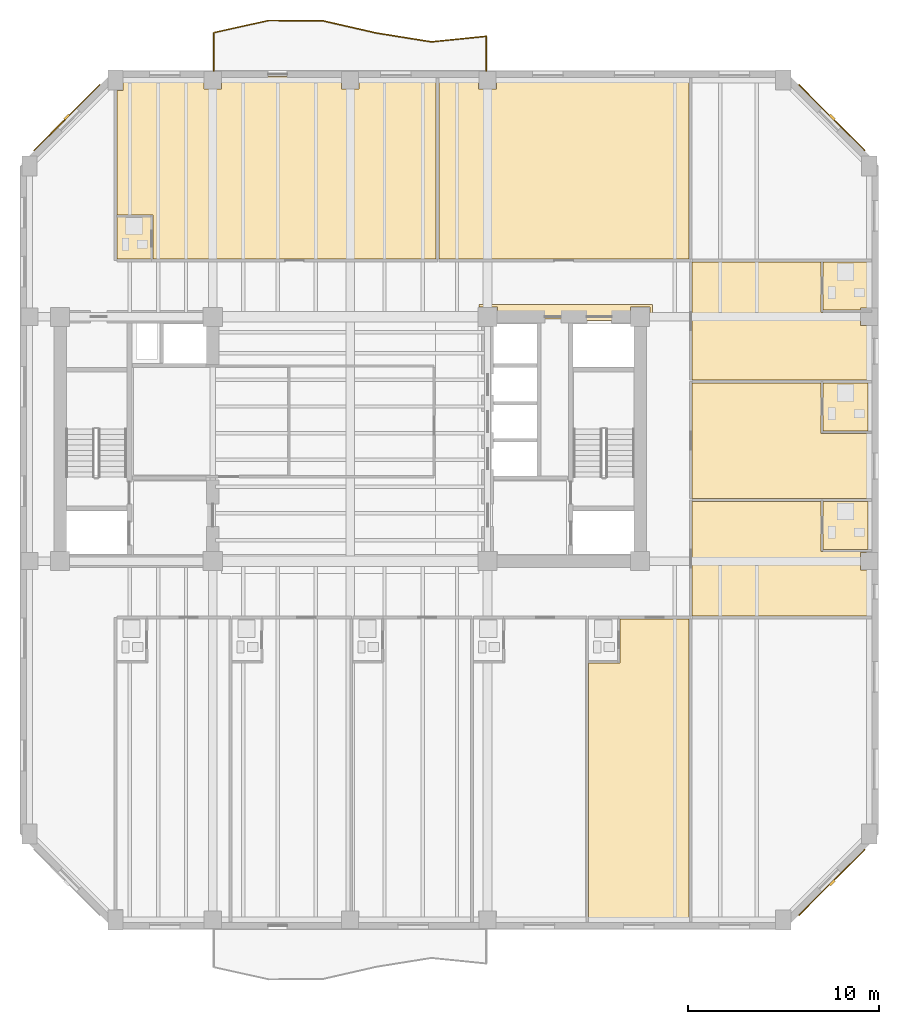
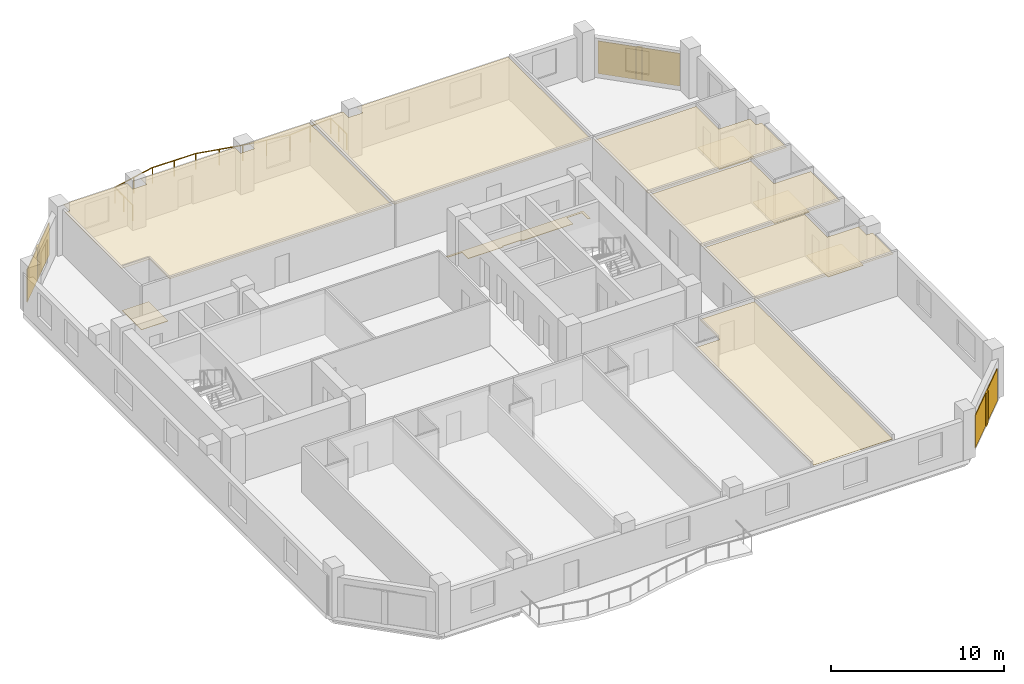
# One storey, part 9 of 10: 14 coverings, 3 shading devices, 1 railing.
"""IFC4 building model written with IfcOpenShell, lengths in metres."""

from ifc_helpers import new_model, si_unit, direction, frame, origin, origin_2d, place, context, subcontext, project, spatial, polyline, rectangle, circle, outline, extrude, material, layer, layer_set, type_object, element, save


model = new_model("IFC4")

# Units and contexts
model_context = context("Model", 3, precision=1e-05, world=origin(), true_north=direction((0.0, 1.0)))
body_context = subcontext(model_context, "Body", "Model", "MODEL_VIEW")
ifc_project = project(units=[si_unit("LENGTHUNIT", "METRE"), si_unit("AREAUNIT", "SQUARE_METRE"), si_unit("VOLUMEUNIT", "CUBIC_METRE"), si_unit("PLANEANGLEUNIT", "RADIAN"), si_unit("MASSUNIT", "GRAM", prefix="KILO")], contexts=[model_context])

# Site, building, storey
site_placement = place(None, origin())
site = spatial("IfcSite", under=ifc_project, at=site_placement, CompositionType="ELEMENT")
building_placement = place(site_placement, origin())
building = spatial("IfcBuilding", under=site, at=building_placement, Name="Kranthara Brick Stack", CompositionType="ELEMENT")
storey_placement = place(building_placement, frame((0.0, 0.0, 155.300048828125)))
storey = spatial("IfcBuildingStorey", under=building, at=storey_placement, Name="L39", CompositionType="ELEMENT", Elevation=155.300048828125)

# Coverings
ifc_material_1 = material(Name="Perforated mineral-fibre acoustic ceiling tile", Category="other")
ifc_layer_1 = layer(ifc_material_1, 0.02490234375)
ifc_layer_set_1 = layer_set([ifc_layer_1], Name="Perforated mineral-fibre acoustic ceiling tile")
covering_type_1 = type_object("IfcCoveringType", Name="COV-CEIL-ACOUSTIC", PredefinedType="CEILING", material=ifc_layer_set_1)
covering_1_placement = place(storey_placement, frame((0.0, 0.0, 2.929931640625)))
element("IfcCovering", 1, at=covering_1_placement, inside=storey, type_object=covering_type_1, Name="L39 Room L39-05 Corner Junior Suite Acoustic Ceiling", PredefinedType="CEILING", context=body_context, shape_type="SweptSolid", body=[
    extrude(outline(polyline([(40.5029296875, 1.800048828125), (45.77001953125, 1.800048828125), (45.77001953125, 17.77001953125), (42.133056640625, 17.77001953125), (42.133056640625, 15.4599609375), (40.5029296875, 15.4599609375), (40.5029296875, 1.800048828125)])), origin(), (0.0, 0.0, 1.0), 0.02490234375),
])
covering_2_placement = place(storey_placement, frame((0.0, 0.0, 2.929931640625)))
element("IfcCovering", 2, at=covering_2_placement, inside=storey, type_object=covering_type_1, Name="L39 Room L39-06 Corner Junior Suite Acoustic Ceiling", PredefinedType="CEILING", context=body_context, shape_type="SweptSolid", body=[
    extrude(outline(polyline([(17.659912109375, 36.6298828125), (17.659912109375, 38.93994140625), (15.780029296875, 38.93994140625), (15.780029296875, 45.465087890625), (16.110107421875, 45.465087890625), (16.110107421875, 46.199951171875), (20.340087890625, 46.199951171875), (20.340087890625, 45.5400390625), (21.260009765625, 45.5400390625), (21.260009765625, 46.199951171875), (27.5400390625, 46.199951171875), (27.5400390625, 45.5400390625), (28.4599609375, 45.5400390625), (28.4599609375, 46.199951171875), (32.50390625, 46.199951171875), (32.50390625, 36.6298828125), (17.659912109375, 36.6298828125)])), origin(), (0.0, 0.0, 1.0), 0.02490234375),
])
covering_3_placement = place(storey_placement, frame((0.0, 0.0, 2.929931640625)))
element("IfcCovering", 3, at=covering_3_placement, inside=storey, type_object=covering_type_1, Name="L39 L39 Guest Sky Lounge 7 Acoustic Ceiling", PredefinedType="CEILING", context=body_context, shape_type="SweptSolid", body=[
    extrude(outline(polyline([(45.77001953125, 46.199951171875), (45.77001953125, 36.6298828125), (32.6640625, 36.6298828125), (32.6640625, 46.199951171875), (34.739990234375, 46.199951171875), (34.739990234375, 45.5400390625), (35.659912109375, 45.5400390625), (35.659912109375, 46.199951171875), (45.77001953125, 46.199951171875)])), origin(), (0.0, 0.0, 1.0), 0.02490234375),
])
covering_4_placement = place(storey_placement, frame((0.0, 0.0, 2.929931640625)))
element("IfcCovering", 4, at=covering_4_placement, inside=storey, type_object=covering_type_1, Name="L39 Room L39-08 Hotel Guest Room Acoustic Ceiling", PredefinedType="CEILING", context=body_context, shape_type="SweptSolid", body=[
    extrude(outline(polyline([(55.1298828125, 17.929931640625), (45.919921875, 17.929931640625), (45.919921875, 23.919921875), (52.669921875, 23.919921875), (52.669921875, 21.2900390625), (55.1298828125, 21.2900390625), (55.1298828125, 21.260009765625), (54.739990234375, 21.260009765625), (54.739990234375, 20.340087890625), (55.1298828125, 20.340087890625), (55.1298828125, 17.929931640625)])), origin(), (0.0, 0.0, 1.0), 0.02490234375),
])
covering_5_placement = place(storey_placement, frame((0.0, 0.0, 2.929931640625)))
element("IfcCovering", 5, at=covering_5_placement, inside=storey, type_object=covering_type_1, Name="L39 Room L39-09 Hotel Guest Room Acoustic Ceiling", PredefinedType="CEILING", context=body_context, shape_type="SweptSolid", body=[
    extrude(outline(polyline([(45.919921875, 24.080078125), (55.1298828125, 24.080078125), (55.1298828125, 27.489990234375), (52.669921875, 27.489990234375), (52.669921875, 30.1201171875), (45.919921875, 30.1201171875), (45.919921875, 24.080078125)])), origin(), (0.0, 0.0, 1.0), 0.02490234375),
])
covering_6_placement = place(storey_placement, frame((0.0, 0.0, 2.929931640625)))
element("IfcCovering", 6, at=covering_6_placement, inside=storey, type_object=covering_type_1, Name="L39 Room L39-10 Hotel Guest Room Acoustic Ceiling", PredefinedType="CEILING", context=body_context, shape_type="SweptSolid", body=[
    extrude(outline(polyline([(55.1298828125, 30.280029296875), (45.919921875, 30.280029296875), (45.919921875, 36.469970703125), (52.669921875, 36.469970703125), (52.669921875, 33.840087890625), (54.739990234375, 33.840087890625), (54.739990234375, 33.139892578125), (55.1298828125, 33.139892578125), (55.1298828125, 30.280029296875)])), origin(), (0.0, 0.0, 1.0), 0.02490234375),
])
ifc_material_2 = material(Name="Warm buff kiln-fired brick slip rainscreen", Category="masonry")
ifc_layer_2 = layer(ifc_material_2, 0.044921875)
ifc_layer_set_2 = layer_set([ifc_layer_2], Name="Warm buff kiln-fired brick slip rainscreen")
covering_type_2 = type_object("IfcCoveringType", Name="COV-CLAD-BRICK", PredefinedType="CLADDING", material=ifc_layer_set_2)
for number, where, z_axis, x_axis, name in (
    (7, (13.15966796875, 44.040283203125, 0.0498046875), (0.0, 0.0, 1.0), (0.707106781187, 0.707106781187, 0.0), "L39 Chamfer Brick Rainscreen Cladding NW"),
    (8, (53.240478515625, 44.040283203125, 0.0498046875), (0.0, 0.0, 1.0), (0.707106781187, -0.707106781187, 0.0), "L39 Chamfer Brick Rainscreen Cladding NE"),
    (9, (53.240478515625, 3.959716796875, 0.0498046875), (0.0, 0.0, 1.0), (-0.707106781187, -0.707106781187, 0.0), "L39 Chamfer Brick Rainscreen Cladding SE"),
):
    element("IfcCovering", number, at=place(storey_placement, frame(where, z_axis=z_axis, x_axis=x_axis)), inside=storey, type_object=covering_type_2, Name=name, PredefinedType="CLADDING", context=body_context, shape_type="SweptSolid", body=[
        extrude(rectangle(XDim=4.89306640625, YDim=0.044921875, at=origin_2d()), origin(), (0.0, 0.0, 1.0), 2.300048828125),
    ])
ifc_material_3 = material(Name="Honed terrazzo and porcelain floor finish", Category="stone")
ifc_layer_3 = layer(ifc_material_3, 0.030029296875)
ifc_layer_set_3 = layer_set([ifc_layer_3], Name="Honed terrazzo and porcelain floor finish")
covering_type_3 = type_object("IfcCoveringType", Name="COV-FLOR-STONE", PredefinedType="FLOORING", material=ifc_layer_set_3)
covering_7_placement = place(storey_placement, origin())
element("IfcCovering", 10, at=covering_7_placement, inside=storey, type_object=covering_type_3, Name="L39 Lift Lobby Stone Flooring", PredefinedType="FLOORING", context=body_context, shape_type="SweptSolid", body=[
    extrude(outline(polyline([(43.7099609375, 33.39990234375), (43.7099609375, 34.110107421875), (42.68994140625, 34.110107421875), (42.68994140625, 33.39990234375), (39.35009765625, 33.39990234375), (39.35009765625, 33.47998046875), (38.050048828125, 33.47998046875), (38.050048828125, 33.39990234375), (35.7099609375, 33.39990234375), (35.7099609375, 34.110107421875), (34.75, 34.110107421875), (34.75, 34.25), (43.85009765625, 34.25), (43.85009765625, 33.39990234375), (43.7099609375, 33.39990234375)])), origin(), (0.0, 0.0, 1.0), 0.030029296875),
])
covering_8_placement = place(storey_placement, origin())
element("IfcCovering", 11, at=covering_8_placement, inside=storey, type_object=covering_type_3, Name="L39 Wet Room Porcelain Flooring", PredefinedType="FLOORING", context=body_context, shape_type="SweptSolid", body=[
    extrude(outline(polyline([(15.780029296875, 36.6298828125), (15.780029296875, 38.8798828125), (17.56005859375, 38.8798828125), (17.56005859375, 36.6298828125), (15.780029296875, 36.6298828125)])), origin(), (0.0, 0.0, 1.0), 0.030029296875),
])
covering_9_placement = place(storey_placement, origin())
element("IfcCovering", 12, at=covering_9_placement, inside=storey, type_object=covering_type_3, Name="L39 Wet Room Porcelain Flooring", PredefinedType="FLOORING", context=body_context, shape_type="SweptSolid", body=[
    extrude(outline(polyline([(52.7900390625, 21.409912109375), (52.7900390625, 23.919921875), (55.1298828125, 23.919921875), (55.1298828125, 21.409912109375), (52.7900390625, 21.409912109375)])), origin(), (0.0, 0.0, 1.0), 0.030029296875),
])
covering_10_placement = place(storey_placement, origin())
element("IfcCovering", 13, at=covering_10_placement, inside=storey, type_object=covering_type_3, Name="L39 Wet Room Porcelain Flooring", PredefinedType="FLOORING", context=body_context, shape_type="SweptSolid", body=[
    extrude(outline(polyline([(52.7900390625, 27.610107421875), (52.7900390625, 30.1201171875), (55.1298828125, 30.1201171875), (55.1298828125, 27.610107421875), (52.7900390625, 27.610107421875)])), origin(), (0.0, 0.0, 1.0), 0.030029296875),
])
covering_11_placement = place(storey_placement, origin())
element("IfcCovering", 14, at=covering_11_placement, inside=storey, type_object=covering_type_3, Name="L39 Wet Room Porcelain Flooring", PredefinedType="FLOORING", context=body_context, shape_type="SweptSolid", body=[
    extrude(outline(polyline([(52.7900390625, 36.469970703125), (55.1298828125, 36.469970703125), (55.1298828125, 34.06005859375), (54.739990234375, 34.06005859375), (54.739990234375, 33.9599609375), (52.7900390625, 33.9599609375), (52.7900390625, 36.469970703125)])), origin(), (0.0, 0.0, 1.0), 0.030029296875),
])

# Railing
ifc_material_4 = material(Name="Bronze anodised aluminium and laminated glass balustrade", Category="aluminium")
railing_type = type_object("IfcRailingType", Name="RL-BALC-1120", PredefinedType="BALUSTRADE", material=ifc_material_4)
railing_placement = place(storey_placement, frame((20.860107421875, 46.43994140625, 0.0)))
element("IfcRailing", 15, at=railing_placement, inside=storey, type_object=railing_type, Name="L39 North Rippling Balcony Balustrade", PredefinedType="BALUSTRADE", context=body_context, shape_type="SweptSolid", body=[
    extrude(circle(Radius=0.02392578125, at=origin_2d()), frame((0.0, 0.0, 1.09619140625), z_axis=(-0.000119005116, 0.999999992919, 0.0), x_axis=(-0.999999992919, -0.000119005116, 0.0)), (0.0, 0.0, 1.0), 2.051513671875),
    extrude(circle(Radius=0.02392578125, at=origin_2d()), frame((-0.000244140625, 2.051513671875, 1.09619140625), z_axis=(0.976274656668, 0.216535897132, 0.0), x_axis=(-0.216535897132, 0.976274656668, 0.0)), (0.0, 0.0, 1.0), 2.948486328125),
    extrude(circle(Radius=0.02392578125, at=origin_2d()), frame((2.878173828125, 2.68994140625, 1.09619140625), z_axis=(0.999961613883, -0.008761892491, 0.0), x_axis=(0.008761892491, 0.999961613883, 0.0)), (0.0, 0.0, 1.0), 2.869873046875),
    extrude(circle(Radius=0.02392578125, at=origin_2d()), frame((5.748046875, 2.664794921875, 1.09619140625), z_axis=(0.974937787518, -0.222477662856, 0.0), x_axis=(0.222477662856, 0.974937787518, 0.0)), (0.0, 0.0, 1.0), 2.845458984375),
    extrude(circle(Radius=0.02392578125, at=origin_2d()), frame((8.522216796875, 2.03173828125, 1.09619140625), z_axis=(0.987308568613, -0.158813696962, 0.0), x_axis=(0.158813696962, 0.987308568613, 0.0)), (0.0, 0.0, 1.0), 2.914794921875),
    extrude(circle(Radius=0.02392578125, at=origin_2d()), frame((11.39990234375, 1.56884765625, 1.09619140625), z_axis=(0.994865383527, 0.101207058345, 0.0), x_axis=(-0.101207058345, 0.994865383527, 0.0)), (0.0, 0.0, 1.0), 2.894775390625),
    extrude(circle(Radius=0.02392578125, at=origin_2d()), frame((14.27978515625, 1.86181640625, 1.09619140625), z_axis=(0.0, -1.0, 0.0), x_axis=(1.0, 0.0, 0.0)), (0.0, 0.0, 1.0), 1.86181640625),
    extrude(circle(Radius=0.02099609375, at=origin_2d()), origin(), (0.0, 0.0, 1.0), 1.072021484375),
    extrude(circle(Radius=0.02099609375, at=origin_2d()), frame((0.0, 1.02587890625, 0.0)), (0.0, 0.0, 1.0), 1.072021484375),
    extrude(circle(Radius=0.02099609375, at=origin_2d()), frame((-0.000244140625, 2.051513671875, 0.0)), (0.0, 0.0, 1.0), 1.072021484375),
    extrude(circle(Radius=0.02099609375, at=origin_2d()), frame((1.43896484375, 2.37060546875, 0.0)), (0.0, 0.0, 1.0), 1.072021484375),
    extrude(circle(Radius=0.02099609375, at=origin_2d()), frame((2.878173828125, 2.68994140625, 0.0)), (0.0, 0.0, 1.0), 1.072021484375),
    extrude(circle(Radius=0.02099609375, at=origin_2d()), frame((4.31298828125, 2.67724609375, 0.0)), (0.0, 0.0, 1.0), 1.072021484375),
    extrude(circle(Radius=0.02099609375, at=origin_2d()), frame((5.748046875, 2.664794921875, 0.0)), (0.0, 0.0, 1.0), 1.072021484375),
    extrude(circle(Radius=0.02099609375, at=origin_2d()), frame((7.13525390625, 2.34814453125, 0.0)), (0.0, 0.0, 1.0), 1.072021484375),
    extrude(circle(Radius=0.02099609375, at=origin_2d()), frame((8.522216796875, 2.03173828125, 0.0)), (0.0, 0.0, 1.0), 1.072021484375),
    extrude(circle(Radius=0.02099609375, at=origin_2d()), frame((9.9609375, 1.80029296875, 0.0)), (0.0, 0.0, 1.0), 1.072021484375),
    extrude(circle(Radius=0.02099609375, at=origin_2d()), frame((11.39990234375, 1.56884765625, 0.0)), (0.0, 0.0, 1.0), 1.072021484375),
    extrude(circle(Radius=0.02099609375, at=origin_2d()), frame((12.83984375, 1.71533203125, 0.0)), (0.0, 0.0, 1.0), 1.072021484375),
    extrude(circle(Radius=0.02099609375, at=origin_2d()), frame((14.27978515625, 1.86181640625, 0.0)), (0.0, 0.0, 1.0), 1.072021484375),
    extrude(circle(Radius=0.02099609375, at=origin_2d()), frame((14.27978515625, 0.930908203125, 0.0)), (0.0, 0.0, 1.0), 1.072021484375),
    extrude(circle(Radius=0.02099609375, at=origin_2d()), frame((14.27978515625, 0.0, 0.0)), (0.0, 0.0, 1.0), 1.072021484375),
])

# Shading devices
ifc_material_5 = material(Name="Kiln-fired terracotta aerodynamic wind fin", Category="masonry")
shading_device_type = type_object("IfcShadingDeviceType", Name="SHD-BAFFLE-CORNER", PredefinedType="SHUTTER", material=ifc_material_5)
for number, where, z_axis, x_axis, name in (
    (16, (13.138427734375, 44.0615234375, 0.0498046875), (0.0, 0.0, 1.0), (0.707106781187, 0.707106781187, 0.0), "L39 Chamfer Wind-Baffle Fin NW"),
    (17, (53.26171875, 44.0615234375, 0.0498046875), (0.0, 0.0, 1.0), (0.707106781187, -0.707106781187, 0.0), "L39 Chamfer Wind-Baffle Fin NE"),
    (18, (53.26171875, 3.9384765625, 0.0498046875), (0.0, 0.0, 1.0), (-0.707106781187, -0.707106781187, 0.0), "L39 Chamfer Wind-Baffle Fin SE"),
):
    element("IfcShadingDevice", number, at=place(storey_placement, frame(where, z_axis=z_axis, x_axis=x_axis)), inside=storey, type_object=shading_device_type, Name=name, PredefinedType="SHUTTER", context=body_context, shape_type="SweptSolid", body=[
        extrude(rectangle(XDim=0.35009765625, YDim=0.1201171875, at=origin_2d()), origin(), (0.0, 0.0, 1.0), 2.300048828125),
    ])

save(model, "model.ifc")
